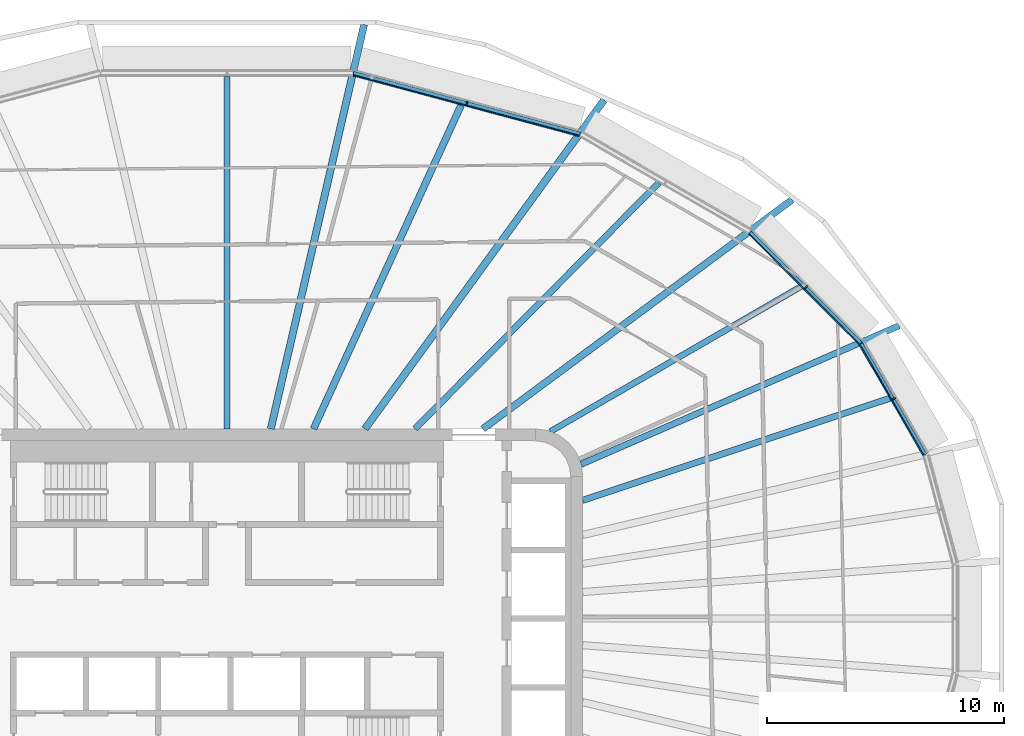
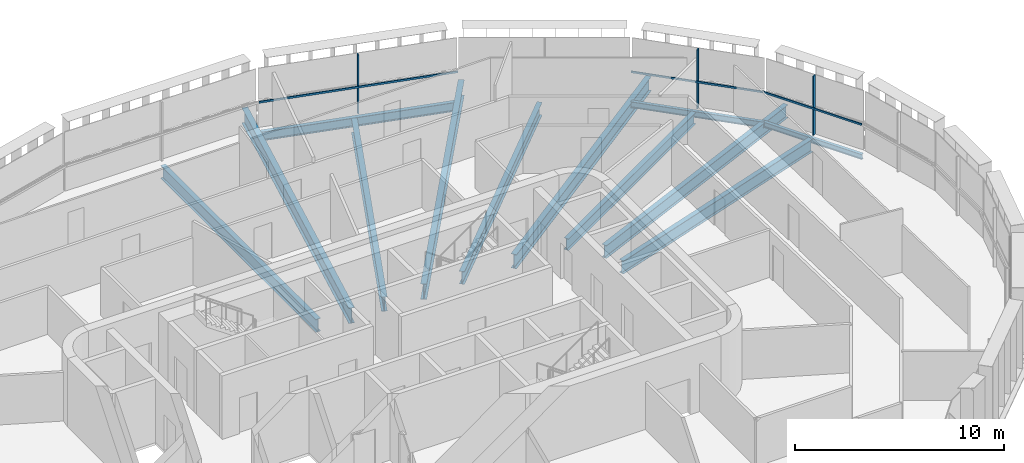
# One storey, part 6 of 21: 12 beams, 6 members, 3 elements without a shape of their own.
"""IFC4 building model written with IfcOpenShell, lengths in metres."""

from ifc_helpers import new_model, si_unit, direction, frame, origin, origin_2d, place, context, subcontext, project, spatial, rectangle, i_section, extrude, material, layer, layer_set, material_profile, profile_set, type_object, element, aggregate, save


model = new_model("IFC4")

# Units and contexts
model_context = context("Model", 3, precision=1e-05, world=origin(), true_north=direction((0.0, 1.0)))
body_context = subcontext(model_context, "Body", "Model", "MODEL_VIEW")
ifc_project = project(units=[si_unit("LENGTHUNIT", "METRE"), si_unit("AREAUNIT", "SQUARE_METRE"), si_unit("VOLUMEUNIT", "CUBIC_METRE"), si_unit("PLANEANGLEUNIT", "RADIAN"), si_unit("MASSUNIT", "GRAM", prefix="KILO")], contexts=[model_context])

# Site, building, storey
site_placement = place(None, origin())
site = spatial("IfcSite", under=ifc_project, at=site_placement, CompositionType="ELEMENT")
building_placement = place(site_placement, origin())
building = spatial("IfcBuilding", under=site, at=building_placement, Name="Sahrelin Media Tower", CompositionType="ELEMENT")
storey_placement = place(building_placement, frame((0.0, 0.0, 193.60009765625)))
storey = spatial("IfcBuildingStorey", under=building, at=storey_placement, Name="L41", CompositionType="ELEMENT", Elevation=193.60009765625)

# Beams
ifc_material_1 = material(Name="Steel S355", Category="steel")
ifc_material_profile_1 = material_profile(ifc_material_1, i_section(OverallWidth=0.1650390625, OverallDepth=0.303466796875, WebThickness=0.006103515625, FlangeThickness=0.01025390625, FilletRadius=0.0087890625, at=origin_2d()), Name="UB 305x165x40")
ifc_profile_set_1 = profile_set([ifc_material_profile_1], Name="Steel S355")
beam_type_1 = type_object("IfcBeamType", Name="Edge beam EB2", PredefinedType="BEAM", material=ifc_profile_set_1)
beam_1_placement = place(storey_placement, frame((26.728759765625, 11.5927734375, -0.3017578125), z_axis=(0.500016705875, -0.866015758428, 0.0), x_axis=(0.866015758428, 0.500016705875, 0.0)))
element("IfcBeam", 1, at=beam_1_placement, inside=storey, type_object=beam_type_1, Name="Edge beam L41-23", PredefinedType="BEAM", context=body_context, shape_type="SweptSolid", body=[
    extrude(i_section(OverallWidth=0.1650390625, OverallDepth=0.303466796875, WebThickness=0.006103515625, FlangeThickness=0.01025390625, FilletRadius=0.0087890625, at=origin_2d()), origin(), (0.0, 0.0, 1.0), 5.410400390625),
])
ifc_material_profile_2 = material_profile(ifc_material_1, i_section(OverallWidth=0.17138671875, OverallDepth=0.35498046875, WebThickness=0.00732421875, FlangeThickness=0.011474609375, FilletRadius=0.01025390625, at=origin_2d()), Name="UB 356x171x51")
ifc_profile_set_2 = profile_set([ifc_material_profile_2], Name="Steel S355")
beam_type_2 = type_object("IfcBeamType", Name="Edge beam EB3", PredefinedType="BEAM", material=ifc_profile_set_2)
beam_2_placement = place(storey_placement, frame((22.05224609375, 16.27490234375, -0.32763671875), z_axis=(0.70708825429, -0.707125307597, 0.0), x_axis=(0.707125307597, 0.70708825429, 0.0)))
element("IfcBeam", 2, at=beam_2_placement, inside=storey, type_object=beam_type_2, Name="Edge beam L41-22", PredefinedType="BEAM", context=body_context, shape_type="SweptSolid", body=[
    extrude(i_section(OverallWidth=0.17138671875, OverallDepth=0.35498046875, WebThickness=0.00732421875, FlangeThickness=0.011474609375, FilletRadius=0.01025390625, at=origin_2d()), origin(), (0.0, 0.0, 1.0), 6.5888671875),
])
ifc_material_profile_3 = material_profile(ifc_material_1, i_section(OverallWidth=0.208740234375, OverallDepth=0.5283203125, WebThickness=0.009521484375, FlangeThickness=0.01318359375, FilletRadius=0.0126953125, at=origin_2d()), Name="UB 533x210x82")
ifc_profile_set_3 = profile_set([ifc_material_profile_3], Name="Steel S355")
beam_type_3 = type_object("IfcBeamType", Name="Edge beam EB6", PredefinedType="BEAM", material=ifc_profile_set_3)
beam_3_placement = place(storey_placement, frame((5.333984375, 22.97509765625, -0.414306640625), z_axis=(0.965928634298, -0.258808565244, 0.0), x_axis=(0.258808565244, 0.965928634298, 0.0)))
element("IfcBeam", 3, at=beam_3_placement, inside=storey, type_object=beam_type_3, Name="Edge beam L41-20", PredefinedType="BEAM", context=body_context, shape_type="SweptSolid", body=[
    extrude(i_section(OverallWidth=0.208740234375, OverallDepth=0.5283203125, WebThickness=0.009521484375, FlangeThickness=0.01318359375, FilletRadius=0.0126953125, at=origin_2d()), origin(), (0.0, 0.0, 1.0), 9.87744140625),
])

# Curtain wall, member
ifc_material_2 = material(Name="Champagne anodised aluminium 6063-T6", Category="aluminium")
ifc_layer = layer(ifc_material_2, 0.14990234375)
ifc_layer_set = layer_set([ifc_layer], Name="Tower ribbon curtain wall")
curtain_wall_type = type_object("IfcCurtainWallType", Name="Tower ribbon curtain wall", PredefinedType="NOTDEFINED", material=ifc_layer_set)
curtain_wall_1_placement = place(storey_placement, frame((28.211181640625, 9.324951171875, 0.0), z_axis=(0.0, 0.0, 1.0), x_axis=(1.0, 0.0, 0.0)))
curtain_wall_1 = element("IfcCurtainWall", 4, at=curtain_wall_1_placement, inside=storey, type_object=curtain_wall_type, Name="L41:CW:L41-02", PredefinedType="NOTDEFINED")
ifc_material_profile_4 = material_profile(ifc_material_2, rectangle(XDim=0.06005859375, YDim=0.175048828125, at=origin_2d()), Name="Mullion 60x175")
ifc_profile_set_4 = profile_set([ifc_material_profile_4], Name="Champagne anodised aluminium 6063-T6")
member_type_1 = type_object("IfcMemberType", Name="Mullion 60x175 CW1B", PredefinedType="MULLION", material=ifc_profile_set_4)
member_1_placement = place(storey_placement, frame((28.118408203125, 9.271240234375, 0.0), z_axis=(0.0, 0.0, 1.0), x_axis=(-0.499996976998, 0.866027149108, 0.0)))
member_1 = element("IfcMember", 5, at=member_1_placement, type_object=member_type_1, Name="L41:CWM:L41-02", PredefinedType="MULLION", context=body_context, shape_type="SweptSolid", body=[
    extrude(rectangle(XDim=0.06005859375, YDim=0.175048828125, at=origin_2d()), origin(), (0.0, 0.0, 1.0), 3.448486328125),
])

curtain_wall_2_placement = place(storey_placement, frame((24.48779296875, 14.05126953125, 0.0), z_axis=(0.0, 0.0, 1.0), x_axis=(1.0, 0.0, 0.0)))
curtain_wall_2 = element("IfcCurtainWall", 6, at=curtain_wall_2_placement, inside=storey, type_object=curtain_wall_type, Name="L41:CW:L41-03", PredefinedType="NOTDEFINED")
member_2_placement = place(storey_placement, frame((24.411865234375, 13.975341796875, 0.0), z_axis=(0.0, 0.0, 1.0), x_axis=(-0.707106781187, 0.707106781187, 0.0)))
member_2 = element("IfcMember", 7, at=member_2_placement, type_object=member_type_1, Name="L41:CWM:L41-03", PredefinedType="MULLION", context=body_context, shape_type="SweptSolid", body=[
    extrude(rectangle(XDim=0.06005859375, YDim=0.175048828125, at=origin_2d()), origin(), (0.0, 0.0, 1.0), 3.448486328125),
])

curtain_wall_3_placement = place(storey_placement, frame((10.143310546875, 21.841796875, 0.0), z_axis=(0.0, 0.0, 1.0), x_axis=(1.0, 0.0, 0.0)))
curtain_wall_3 = element("IfcCurtainWall", 8, at=curtain_wall_3_placement, inside=storey, type_object=curtain_wall_type, Name="L41:CW:L41-05", PredefinedType="NOTDEFINED")
member_3_placement = place(storey_placement, frame((10.115478515625, 21.73779296875, 0.0), z_axis=(0.0, 0.0, 1.0), x_axis=(-0.965924922834, 0.258822416818, 0.0)))
member_3 = element("IfcMember", 9, at=member_3_placement, type_object=member_type_1, Name="L41:CWM:L41-05", PredefinedType="MULLION", context=body_context, shape_type="SweptSolid", body=[
    extrude(rectangle(XDim=0.06005859375, YDim=0.175048828125, at=origin_2d()), origin(), (0.0, 0.0, 1.0), 3.448486328125),
])

# Beams
ifc_material_profile_5 = material_profile(ifc_material_1, i_section(OverallWidth=0.291748046875, OverallDepth=0.8349609375, WebThickness=0.013916015625, FlangeThickness=0.018798828125, FilletRadius=0.017822265625, at=origin_2d()), Name="UB 838x292x176")
ifc_profile_set_5 = profile_set([ifc_material_profile_5], Name="Steel S355")
beam_type_4 = type_object("IfcBeamType", Name="Radial primary beam PB10", PredefinedType="BEAM", material=ifc_profile_set_5)
beam_4_placement = place(storey_placement, frame((10.793701171875, 8.0, -0.567626953125), z_axis=(0.803387610254, 0.595456419641, 0.0), x_axis=(-0.595456419641, 0.803387610254, 0.0)))
element("IfcBeam", 10, at=beam_4_placement, inside=storey, type_object=beam_type_4, Name="Radial beam L41-04", PredefinedType="BEAM", context=body_context, shape_type="SweptSolid", body=[
    extrude(i_section(OverallWidth=0.291748046875, OverallDepth=0.8349609375, WebThickness=0.013916015625, FlangeThickness=0.018798828125, FilletRadius=0.017822265625, at=origin_2d()), origin(), (0.0, 0.0, 1.0), 16.22314453125),
])
ifc_material_profile_6 = material_profile(ifc_material_1, i_section(OverallWidth=0.30322265625, OverallDepth=0.903076171875, WebThickness=0.01513671875, FlangeThickness=0.020263671875, FilletRadius=0.01904296875, at=origin_2d()), Name="UB 914x305x201")
ifc_profile_set_6 = profile_set([ifc_material_profile_6], Name="Steel S355")
beam_type_5 = type_object("IfcBeamType", Name="Radial primary beam PB11", PredefinedType="BEAM", material=ifc_profile_set_6)
beam_5_placement = place(storey_placement, frame((5.8173828125, 8.0, -0.6015625), z_axis=(0.58812766709, 0.808768104714, 0.0), x_axis=(-0.808768104714, 0.58812766709, 0.0)))
element("IfcBeam", 11, at=beam_5_placement, inside=storey, type_object=beam_type_5, Name="Radial beam L41-05", PredefinedType="BEAM", context=body_context, shape_type="SweptSolid", body=[
    extrude(i_section(OverallWidth=0.30322265625, OverallDepth=0.903076171875, WebThickness=0.01513671875, FlangeThickness=0.020263671875, FilletRadius=0.01904296875, at=origin_2d()), origin(), (0.0, 0.0, 1.0), 17.144287109375),
])
beam_6_placement = place(storey_placement, frame((1.846923828125, 8.0, -0.6015625), z_axis=(0.224943059237, 0.974371910567, 0.0), x_axis=(-0.974371910567, 0.224943059237, 0.0)))
element("IfcBeam", 12, at=beam_6_placement, inside=storey, type_object=beam_type_5, Name="Radial beam L41-06", PredefinedType="BEAM", context=body_context, shape_type="SweptSolid", body=[
    extrude(i_section(OverallWidth=0.30322265625, OverallDepth=0.903076171875, WebThickness=0.01513671875, FlangeThickness=0.020263671875, FilletRadius=0.01904296875, at=origin_2d()), origin(), (0.0, 0.0, 1.0), 17.4990234375),
])
ifc_material_profile_7 = material_profile(ifc_material_1, i_section(OverallWidth=0.26513671875, OverallDepth=0.75390625, WebThickness=0.0126953125, FlangeThickness=0.017578125, FilletRadius=0.0166015625, at=origin_2d()), Name="UB 762x267x147")
ifc_profile_set_7 = profile_set([ifc_material_profile_7], Name="Steel S355")
beam_type_6 = type_object("IfcBeamType", Name="Radial primary beam PB9", PredefinedType="BEAM", material=ifc_profile_set_7)
beam_7_placement = place(storey_placement, frame((14.93310546875, 6.5078125, -0.527099609375), z_axis=(0.916731081727, 0.399504848275, 0.0), x_axis=(-0.399504848275, 0.916731081727, 0.0)))
element("IfcBeam", 13, at=beam_7_placement, inside=storey, type_object=beam_type_6, Name="Radial beam L41-03", PredefinedType="BEAM", context=body_context, shape_type="SweptSolid", body=[
    extrude(i_section(OverallWidth=0.26513671875, OverallDepth=0.75390625, WebThickness=0.0126953125, FlangeThickness=0.017578125, FilletRadius=0.0166015625, at=origin_2d()), origin(), (0.0, 0.0, 1.0), 14.625),
])
ifc_material_profile_8 = material_profile(ifc_material_1, i_section(OverallWidth=0.291748046875, OverallDepth=0.8349609375, WebThickness=0.013916015625, FlangeThickness=0.018798828125, FilletRadius=0.017822265625, at=origin_2d()), Name="UB 838x292x176")
ifc_profile_set_8 = profile_set([ifc_material_profile_8], Name="Steel S355")
beam_type_7 = type_object("IfcBeamType", Name="Radial secondary beam SB10", PredefinedType="BEAM", material=ifc_profile_set_8)
beam_8_placement = place(storey_placement, frame((3.647705078125, 8.0, -0.567626953125), z_axis=(0.414888908569, 0.909872075374, 0.0), x_axis=(-0.909872075374, 0.414888908569, 0.0)))
element("IfcBeam", 14, at=beam_8_placement, inside=storey, type_object=beam_type_7, Name="Secondary beam L41-05", PredefinedType="BEAM", context=body_context, shape_type="SweptSolid", body=[
    extrude(i_section(OverallWidth=0.291748046875, OverallDepth=0.8349609375, WebThickness=0.013916015625, FlangeThickness=0.018798828125, FilletRadius=0.017822265625, at=origin_2d()), origin(), (0.0, 0.0, 1.0), 15.003173828125),
])
ifc_material_profile_9 = material_profile(ifc_material_1, i_section(OverallWidth=0.2529296875, OverallDepth=0.677978515625, WebThickness=0.01171875, FlangeThickness=0.01611328125, FilletRadius=0.01513671875, at=origin_2d()), Name="UB 686x254x125")
ifc_profile_set_9 = profile_set([ifc_material_profile_9], Name="Steel S355")
beam_type_8 = type_object("IfcBeamType", Name="Radial secondary beam SB8", PredefinedType="BEAM", material=ifc_profile_set_9)
beam_9_placement = place(storey_placement, frame((13.63134765625, 7.884765625, -0.489013671875), z_axis=(0.865627368976, 0.500688783658, 0.0), x_axis=(-0.500688783658, 0.865627368976, 0.0)))
element("IfcBeam", 15, at=beam_9_placement, inside=storey, type_object=beam_type_8, Name="Secondary beam L41-03", PredefinedType="BEAM", context=body_context, shape_type="SweptSolid", body=[
    extrude(i_section(OverallWidth=0.2529296875, OverallDepth=0.677978515625, WebThickness=0.01171875, FlangeThickness=0.01611328125, FilletRadius=0.01513671875, at=origin_2d()), origin(), (0.0, 0.0, 1.0), 12.215087890625),
])
ifc_material_profile_10 = material_profile(ifc_material_1, i_section(OverallWidth=0.26513671875, OverallDepth=0.75390625, WebThickness=0.0126953125, FlangeThickness=0.017578125, FilletRadius=0.0166015625, at=origin_2d()), Name="UB 762x267x147")
ifc_profile_set_10 = profile_set([ifc_material_profile_10], Name="Steel S355")
beam_type_9 = type_object("IfcBeamType", Name="Radial secondary beam SB9", PredefinedType="BEAM", material=ifc_profile_set_10)
beam_10_placement = place(storey_placement, frame((15.0, 4.986083984375, -0.527099609375), z_axis=(0.948949304443, 0.315428625204, 0.0), x_axis=(-0.315428625204, 0.948949304443, 0.0)))
element("IfcBeam", 16, at=beam_10_placement, inside=storey, type_object=beam_type_9, Name="Secondary beam L41-02", PredefinedType="BEAM", context=body_context, shape_type="SweptSolid", body=[
    extrude(i_section(OverallWidth=0.26513671875, OverallDepth=0.75390625, WebThickness=0.0126953125, FlangeThickness=0.017578125, FilletRadius=0.0166015625, at=origin_2d()), origin(), (0.0, 0.0, 1.0), 13.657958984375),
])
beam_11_placement = place(storey_placement, frame((7.927490234375, 8.0, -0.527099609375), z_axis=(0.70389286124, 0.710306159269, 0.0), x_axis=(-0.710306159269, 0.70389286124, 0.0)))
element("IfcBeam", 17, at=beam_11_placement, inside=storey, type_object=beam_type_9, Name="Secondary beam L41-04", PredefinedType="BEAM", context=body_context, shape_type="SweptSolid", body=[
    extrude(i_section(OverallWidth=0.26513671875, OverallDepth=0.75390625, WebThickness=0.0126953125, FlangeThickness=0.017578125, FilletRadius=0.0166015625, at=origin_2d()), origin(), (0.0, 0.0, 1.0), 14.6181640625),
])
beam_12_placement = place(storey_placement, frame((0.0, 8.0, -0.527099609375), z_axis=(0.0, 1.0, 0.0), x_axis=(-1.0, 0.0, 0.0)))
element("IfcBeam", 18, at=beam_12_placement, inside=storey, type_object=beam_type_9, Name="Secondary beam L41-06", PredefinedType="BEAM", context=body_context, shape_type="SweptSolid", body=[
    extrude(i_section(OverallWidth=0.26513671875, OverallDepth=0.75390625, WebThickness=0.0126953125, FlangeThickness=0.017578125, FilletRadius=0.0166015625, at=origin_2d()), origin(), (0.0, 0.0, 1.0), 14.864990234375),
])

# Member
ifc_material_profile_11 = material_profile(ifc_material_2, rectangle(XDim=0.050048828125, YDim=0.110107421875, at=origin_2d()), Name="Transom 50x110")
ifc_profile_set_11 = profile_set([ifc_material_profile_11], Name="Champagne anodised aluminium 6063-T6")
member_type_2 = type_object("IfcMemberType", Name="Transom 50x110 CW1B", PredefinedType="USERDEFINED", material=ifc_profile_set_11)
member_4_placement = place(storey_placement, frame((29.365478515625, 6.8857421875, 1.599853515625), z_axis=(-0.499985686398, 0.866033667589, 0.0), x_axis=(-0.866033667589, -0.499985686398, 0.0)))
member_4 = element("IfcMember", 19, at=member_4_placement, type_object=member_type_2, Name="L41:CWT:L41-02", ObjectType="TRANSOM", PredefinedType="USERDEFINED", context=body_context, shape_type="SweptSolid", body=[
    extrude(rectangle(XDim=0.050048828125, YDim=0.110107421875, at=origin_2d()), origin(), (0.0, 0.0, 1.0), 5.379150390625),
])

aggregate(curtain_wall_1, [member_1, member_4])

member_5_placement = place(storey_placement, frame((26.650634765625, 11.577392578125, 1.599853515625), z_axis=(-0.707106781187, 0.707106781187, 0.0), x_axis=(-0.707106781187, -0.707106781187, 0.0)))
member_5 = element("IfcMember", 20, at=member_5_placement, type_object=member_type_2, Name="L41:CWT:L41-03", ObjectType="TRANSOM", PredefinedType="USERDEFINED", context=body_context, shape_type="SweptSolid", body=[
    extrude(rectangle(XDim=0.050048828125, YDim=0.110107421875, at=origin_2d()), origin(), (0.0, 0.0, 1.0), 6.557373046875),
])

aggregate(curtain_wall_2, [member_2, member_5])

member_6_placement = place(storey_placement, frame((14.841796875, 20.35498046875, 1.599853515625), z_axis=(-0.965921045244, 0.258836887547, 0.0), x_axis=(-0.258836887547, -0.965921045244, 0.0)))
member_6 = element("IfcMember", 21, at=member_6_placement, type_object=member_type_2, Name="L41:CWT:L41-05", ObjectType="TRANSOM", PredefinedType="USERDEFINED", context=body_context, shape_type="SweptSolid", body=[
    extrude(rectangle(XDim=0.050048828125, YDim=0.110107421875, at=origin_2d()), origin(), (0.0, 0.0, 1.0), 9.84619140625),
])

aggregate(curtain_wall_3, [member_3, member_6])

save(model, "model.ifc")
